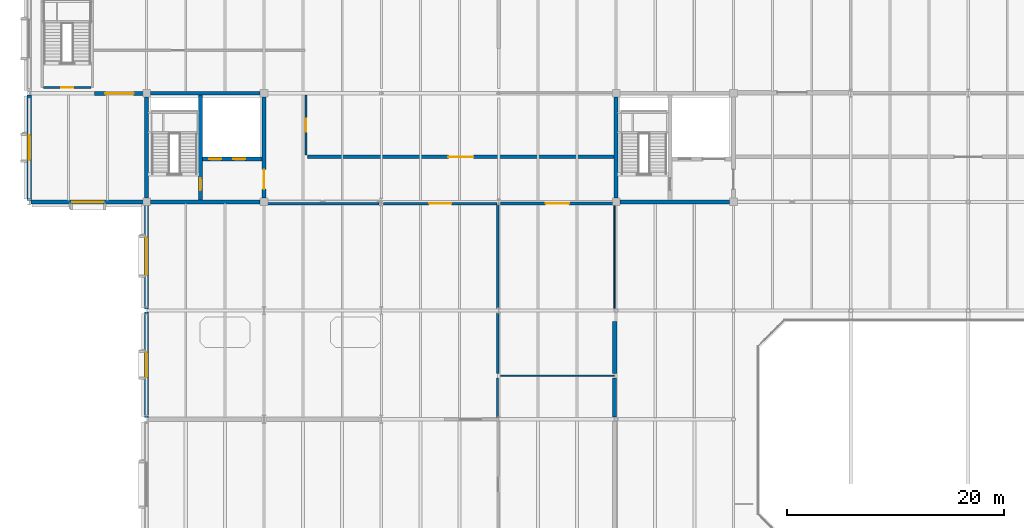
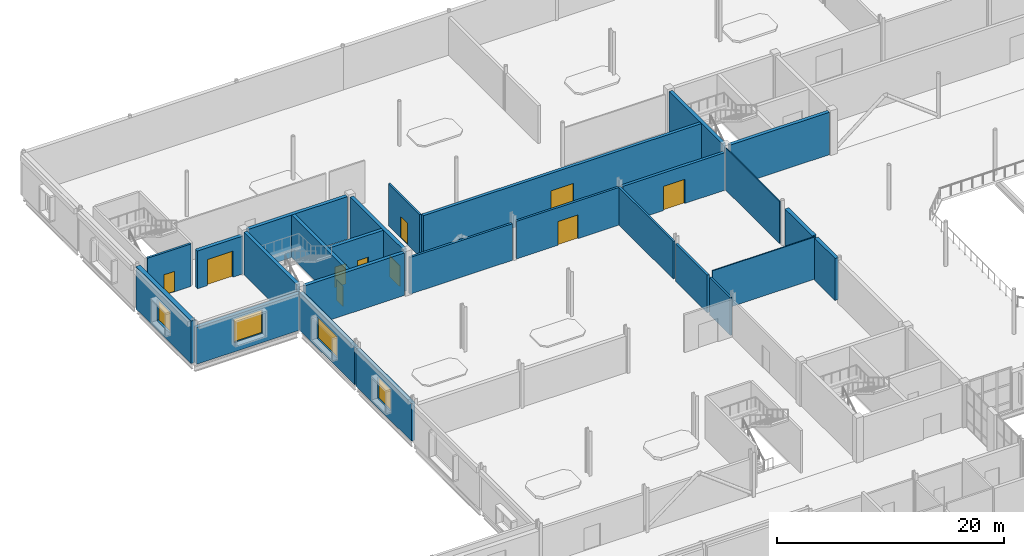
# One storey, part 77 of 92: 26 walls, 10 doors, 4 windows, 14 openings.
"""IFC4 building model written with IfcOpenShell, lengths in metres."""

from ifc_helpers import new_model, si_unit, direction, frame, frame_2d, origin, place, context, subcontext, project, spatial, rectangle, extrude, material, layer, layer_set, type_object, element, fill, save


model = new_model("IFC4")

# Units and contexts
model_context = context("Model", 3, precision=1e-05, world=origin(), true_north=direction((0.0, 1.0)))
body_context = subcontext(model_context, "Body", "Model", "MODEL_VIEW")
ifc_project = project(units=[si_unit("LENGTHUNIT", "METRE"), si_unit("AREAUNIT", "SQUARE_METRE"), si_unit("VOLUMEUNIT", "CUBIC_METRE"), si_unit("PLANEANGLEUNIT", "RADIAN"), si_unit("MASSUNIT", "GRAM", prefix="KILO")], contexts=[model_context])

# Site, building, storey
site_placement = place(None, origin())
site = spatial("IfcSite", under=ifc_project, at=site_placement, CompositionType="ELEMENT")
building_placement = place(site_placement, origin())
building = spatial("IfcBuilding", under=site, at=building_placement, Name="Tasgan Crest Museum", CompositionType="ELEMENT")
storey_placement = place(building_placement, frame((0.0, 0.0, 4.800048828125)))
storey = spatial("IfcBuildingStorey", under=building, at=storey_placement, Name="L01", CompositionType="ELEMENT", Elevation=4.800048828125)

# Walls
ifc_material_1 = material(Name="Concrete C40/50", Category="concrete")
ifc_layer_1 = layer(ifc_material_1, 0.35009765625, Name="WL-CORE-350")
ifc_layer_set_1 = layer_set([ifc_layer_1], Name="Concrete C40/50")
wall_type_1 = type_object("IfcWallType", Name="WL-CORE-350", PredefinedType="SHEAR", material=ifc_layer_set_1)
for number, where, z_axis, x_axis, name in (
    (1, (11.14990234375, 82.0, 0.0), (0.0, 0.0, 1.0), (1.0, 0.0, 0.0), "North-West Gallery Core south shear wall L01"),
    (2, (11.14990234375, 92.0, 0.0), (0.0, 0.0, 1.0), (1.0, 0.0, 0.0), "North-West Gallery Core north shear wall L01"),
):
    element("IfcWall", number, at=place(storey_placement, frame(where, z_axis=z_axis, x_axis=x_axis)), inside=storey, type_object=wall_type_1, Name=name, PredefinedType="SHEAR", context=body_context, shape_type="SweptSolid", body=[
        extrude(rectangle(XDim=10.10009765625, YDim=0.35009765625, at=frame_2d((5.050048828125, 0.0))), origin(), (0.0, 0.0, 1.0), 4.56005859375),
    ])
wall_1_placement = place(storey_placement, frame((10.800048828125, 82.35009765625, 0.0), z_axis=(0.0, 0.0, 1.0), x_axis=(0.0, 1.0, 0.0)))
element("IfcWall", 3, at=wall_1_placement, inside=storey, type_object=wall_type_1, Name="North-West Gallery Core west shear wall L01", PredefinedType="SHEAR", context=body_context, shape_type="SweptSolid", body=[
    extrude(rectangle(XDim=9.2998046875, YDim=0.35009765625, at=frame_2d((4.64990234375, 0.0))), origin(), (0.0, 0.0, 1.0), 4.56005859375),
])

# Wall, opening, door
wall_2_placement = place(storey_placement, frame((21.60009765625, 82.35009765625, 0.0), z_axis=(0.0, 0.0, 1.0), x_axis=(0.0, 1.0, 0.0)))
wall_2 = element("IfcWall", 4, at=wall_2_placement, inside=storey, type_object=wall_type_1, Name="North-West Gallery Core east shear wall L01", PredefinedType="SHEAR", context=body_context, shape_type="SweptSolid", body=[
    extrude(rectangle(XDim=9.2998046875, YDim=0.35009765625, at=frame_2d((4.64990234375, 0.0))), origin(), (0.0, 0.0, 1.0), 4.56005859375),
])
opening_1_placement = place(wall_2_placement, frame((0.830078125, 0.0, 0.0)))
opening_1 = element("IfcOpeningElement", 5, at=opening_1_placement, cuts=wall_2, Name="Opening LD-NW-L01", PredefinedType="OPENING", context=body_context, shape_type="SweptSolid", body=[
    extrude(rectangle(XDim=1.800048828125, YDim=2.25, at=frame_2d((0.89990234375, 1.125))), frame((0.0, 0.18505859375, 0.0), z_axis=(0.0, -1.0, 0.0), x_axis=(1.0, 0.0, 0.0)), (0.0, 0.0, 1.0), 0.3701171875),
])
ifc_material_2 = material(Name="Fire-Rated Double Lobby Door")
door_type_1 = type_object("IfcDoorType", Name="DR-FD2-1800", OperationType="NOTDEFINED", PredefinedType="DOOR", material=ifc_material_2)
door_1_placement = place(opening_1_placement, origin())
door_1 = element("IfcDoor", 6, at=door_1_placement, inside=storey, type_object=door_type_1, Name="North-West Gallery Core lobby door L01", OperationType="DOUBLE_DOOR_SINGLE_SWING", OverallHeight=2.25, OverallWidth=1.800048828125, PredefinedType="DOOR", context=body_context, shape_type="SweptSolid", body=[
    extrude(rectangle(XDim=1.800048828125, YDim=2.25, at=frame_2d((0.89990234375, 1.125))), frame((0.0, 0.02490234375, 0.0), z_axis=(0.0, -1.0, 0.0), x_axis=(1.0, 0.0, 0.0)), (0.0, 0.0, 1.0), 0.050048828125),
])
fill(opening_1, door_1)

wall_3_placement = place(storey_placement, frame((15.75, 82.175048828125, 0.0), z_axis=(0.0, 0.0, 1.0), x_axis=(0.0, 1.0, 0.0)))
wall_3 = element("IfcWall", 7, at=wall_3_placement, inside=storey, type_object=wall_type_1, Name="North-West Gallery Core stair-lobby shear wall L01", PredefinedType="SHEAR", context=body_context, shape_type="SweptSolid", body=[
    extrude(rectangle(XDim=9.64990234375, YDim=0.35009765625, at=frame_2d((4.824951171875, 0.0))), origin(), (0.0, 0.0, 1.0), 4.56005859375),
])
opening_2_placement = place(wall_3_placement, frame((0.89990234375, 0.0, 0.0)))
opening_2 = element("IfcOpeningElement", 8, at=opening_2_placement, cuts=wall_3, Name="Opening SD-NW-L01", PredefinedType="OPENING", context=body_context, shape_type="SweptSolid", body=[
    extrude(rectangle(XDim=1.10009765625, YDim=2.199951171875, at=frame_2d((0.550048828125, 1.10009765625))), frame((0.0, 0.18505859375, 0.0), z_axis=(0.0, -1.0, 0.0), x_axis=(1.0, 0.0, 0.0)), (0.0, 0.0, 1.0), 0.3701171875),
])
ifc_material_3 = material(Name="Fire-Rated Steel Door", Category="steel")
door_type_2 = type_object("IfcDoorType", Name="DR-FD1-1100", OperationType="NOTDEFINED", PredefinedType="DOOR", material=ifc_material_3)
door_2_placement = place(opening_2_placement, origin())
door_2 = element("IfcDoor", 9, at=door_2_placement, inside=storey, type_object=door_type_2, Name="North-West Gallery Core stair door L01", OperationType="SINGLE_SWING_RIGHT", OverallHeight=2.199951171875, OverallWidth=1.10009765625, PredefinedType="DOOR", context=body_context, shape_type="SweptSolid", body=[
    extrude(rectangle(XDim=1.10009765625, YDim=2.199951171875, at=frame_2d((0.550048828125, 1.10009765625))), frame((0.0, 0.02490234375, 0.0), z_axis=(0.0, -1.0, 0.0), x_axis=(1.0, 0.0, 0.0)), (0.0, 0.0, 1.0), 0.050048828125),
])
fill(opening_2, door_2)

# Wall, openings, doors
wall_4_placement = place(storey_placement, frame((15.929931640625, 85.949951171875, 0.0), z_axis=(0.0, 0.0, 1.0), x_axis=(1.0, 0.0, 0.0)))
wall_4 = element("IfcWall", 10, at=wall_4_placement, inside=storey, type_object=wall_type_1, Name="North-West Gallery Core lift-shaft wall L01", PredefinedType="SHEAR", context=body_context, shape_type="SweptSolid", body=[
    extrude(rectangle(XDim=5.489990234375, YDim=0.35009765625, at=frame_2d((2.7451171875, 0.0))), origin(), (0.0, 0.0, 1.0), 4.56005859375),
])
opening_3_placement = place(wall_4_placement, frame((0.64990234375, 0.0, 0.0)))
opening_3 = element("IfcOpeningElement", 11, at=opening_3_placement, cuts=wall_4, Name="Opening LD-FL1", PredefinedType="OPENING", context=body_context, shape_type="SweptSolid", body=[
    extrude(rectangle(XDim=1.10009765625, YDim=2.199951171875, at=frame_2d((0.550048828125, 1.10009765625))), frame((0.0, 0.18505859375, 0.0), z_axis=(0.0, -1.0, 0.0), x_axis=(1.0, 0.0, 0.0)), (0.0, 0.0, 1.0), 0.3701171875),
])
opening_4_placement = place(wall_4_placement, frame((2.85009765625, 0.0, 0.0)))
opening_4 = element("IfcOpeningElement", 12, at=opening_4_placement, cuts=wall_4, Name="Opening LD-PL1", PredefinedType="OPENING", context=body_context, shape_type="SweptSolid", body=[
    extrude(rectangle(XDim=1.10009765625, YDim=2.199951171875, at=frame_2d((0.550048828125, 1.10009765625))), frame((0.0, 0.18505859375, 0.0), z_axis=(0.0, -1.0, 0.0), x_axis=(1.0, 0.0, 0.0)), (0.0, 0.0, 1.0), 0.3701171875),
])
ifc_material_4 = material(Name="Stainless Steel Firefighting Lift Landing Door", Category="steel")
door_type_3 = type_object("IfcDoorType", Name="LD-FF-1100", OperationType="NOTDEFINED", PredefinedType="DOOR", material=ifc_material_4)
door_3_placement = place(opening_3_placement, origin())
door_3 = element("IfcDoor", 13, at=door_3_placement, inside=storey, type_object=door_type_3, Name="Firefighting lift landing door FL1 L01", OperationType="DOUBLE_DOOR_SLIDING", OverallHeight=2.199951171875, OverallWidth=1.10009765625, PredefinedType="DOOR", context=body_context, shape_type="SweptSolid", body=[
    extrude(rectangle(XDim=1.10009765625, YDim=2.199951171875, at=frame_2d((0.550048828125, 1.10009765625))), frame((0.0, 0.02490234375, 0.0), z_axis=(0.0, -1.0, 0.0), x_axis=(1.0, 0.0, 0.0)), (0.0, 0.0, 1.0), 0.050048828125),
])
fill(opening_3, door_3)
ifc_material_5 = material(Name="Brushed Bronze Passenger Lift Landing Door")
door_type_4 = type_object("IfcDoorType", Name="LD-PAX-1100", OperationType="NOTDEFINED", PredefinedType="DOOR", material=ifc_material_5)
door_4_placement = place(opening_4_placement, origin())
door_4 = element("IfcDoor", 14, at=door_4_placement, inside=storey, type_object=door_type_4, Name="Lift landing sliding door PL1 L01", OperationType="DOUBLE_DOOR_SLIDING", OverallHeight=2.199951171875, OverallWidth=1.10009765625, PredefinedType="DOOR", context=body_context, shape_type="SweptSolid", body=[
    extrude(rectangle(XDim=1.10009765625, YDim=2.199951171875, at=frame_2d((0.550048828125, 1.10009765625))), frame((0.0, 0.02490234375, 0.0), z_axis=(0.0, -1.0, 0.0), x_axis=(1.0, 0.0, 0.0)), (0.0, 0.0, 1.0), 0.050048828125),
])
fill(opening_4, door_4)

# Walls
wall_5_placement = place(storey_placement, frame((54.35009765625, 82.0, 0.0), z_axis=(0.0, 0.0, 1.0), x_axis=(1.0, 0.0, 0.0)))
element("IfcWall", 15, at=wall_5_placement, inside=storey, type_object=wall_type_1, Name="North-Central Sawtooth Core south shear wall L01", PredefinedType="SHEAR", context=body_context, shape_type="SweptSolid", body=[
    extrude(rectangle(XDim=10.099853515625, YDim=0.35009765625, at=frame_2d((5.0498046875, 0.0))), origin(), (0.0, 0.0, 1.0), 4.56005859375),
])
wall_6_placement = place(storey_placement, frame((54.0, 82.35009765625, 0.0), z_axis=(0.0, 0.0, 1.0), x_axis=(0.0, 1.0, 0.0)))
element("IfcWall", 16, at=wall_6_placement, inside=storey, type_object=wall_type_1, Name="North-Central Sawtooth Core west shear wall L01", PredefinedType="SHEAR", context=body_context, shape_type="SweptSolid", body=[
    extrude(rectangle(XDim=9.2998046875, YDim=0.35009765625, at=frame_2d((4.64990234375, 0.0))), origin(), (0.0, 0.0, 1.0), 4.56005859375),
])

# Wall, opening, window
ifc_material_6 = material(Name="Precast concrete C40/50", Category="concrete")
ifc_layer_2 = layer(ifc_material_6, 0.3798828125, Name="WL-EXT-CANT-380")
ifc_layer_set_2 = layer_set([ifc_layer_2], Name="Precast concrete C40/50")
wall_type_2 = type_object("IfcWallType", Name="WL-EXT-CANT-380", PredefinedType="STANDARD", material=ifc_layer_set_2)
wall_7_placement = place(storey_placement, frame((0.14501953125, 82.0, 0.0), z_axis=(0.0, 0.0, 1.0), x_axis=(1.0, 0.0, 0.0)))
wall_7 = element("IfcWall", 17, at=wall_7_placement, inside=storey, type_object=wall_type_2, Name="Exterior wall L01 (5.4,82.0)", PredefinedType="STANDARD", context=body_context, shape_type="SweptSolid", body=[
    extrude(rectangle(XDim=10.510009765625, YDim=0.3798828125, at=frame_2d((5.2548828125, 0.0))), origin(), (0.0, 0.0, 1.0), 3.93896484375),
])
opening_5_placement = place(wall_7_placement, frame((3.804931640625, 0.0, 1.0)))
opening_5 = element("IfcOpeningElement", 18, at=opening_5_placement, cuts=wall_7, Name="Opening W31", PredefinedType="OPENING", context=body_context, shape_type="SweptSolid", body=[
    extrude(rectangle(XDim=2.89990234375, YDim=2.5, at=frame_2d((1.449951171875, 1.25))), frame((0.0, 0.199951171875, 0.0), z_axis=(0.0, -1.0, 0.0), x_axis=(1.0, 0.0, 0.0)), (0.0, 0.0, 1.0), 0.39990234375),
])
ifc_material_7 = material(Name="Thermally Broken Triple-Glazed Aluminium", Category="aluminium")
window_type_1 = type_object("IfcWindowType", Name="WN-GAL-2900X2500", PartitioningType="SINGLE_PANEL", PredefinedType="WINDOW", material=ifc_material_7)
window_1_placement = place(opening_5_placement, origin())
window_1 = element("IfcWindow", 19, at=window_1_placement, inside=storey, type_object=window_type_1, Name="Window W31 L01-031", OverallHeight=2.5, OverallWidth=2.89990234375, PartitioningType="SINGLE_PANEL", PredefinedType="WINDOW", context=body_context, shape_type="SweptSolid", body=[
    extrude(rectangle(XDim=2.89990234375, YDim=2.5, at=frame_2d((1.449951171875, 1.25))), frame((0.0, 0.030029296875, 0.0), z_axis=(0.0, -1.0, 0.0), x_axis=(1.0, 0.0, 0.0)), (0.0, 0.0, 1.0), 0.06005859375),
])
fill(opening_5, window_1)

wall_8_placement = place(storey_placement, frame((10.800048828125, 81.85498046875, 0.0), z_axis=(0.0, 0.0, 1.0), x_axis=(0.0, -1.0, 0.0)))
wall_8 = element("IfcWall", 20, at=wall_8_placement, inside=storey, type_object=wall_type_2, Name="Exterior wall L01 (10.8,77.0)", PredefinedType="STANDARD", context=body_context, shape_type="SweptSolid", body=[
    extrude(rectangle(XDim=9.7099609375, YDim=0.3798828125, at=frame_2d((4.85498046875, 0.0))), origin(), (0.0, 0.0, 1.0), 4.0400390625),
])
opening_6_placement = place(wall_8_placement, frame((3.10498046875, 0.0, 1.0)))
opening_6 = element("IfcOpeningElement", 21, at=opening_6_placement, cuts=wall_8, Name="Opening W32", PredefinedType="OPENING", context=body_context, shape_type="SweptSolid", body=[
    extrude(rectangle(XDim=3.5, YDim=2.300048828125, at=frame_2d((1.75, 1.14990234375))), frame((0.0, 0.199951171875, 0.0), z_axis=(0.0, -1.0, 0.0), x_axis=(1.0, 0.0, 0.0)), (0.0, 0.0, 1.0), 0.39990234375),
])
ifc_material_8 = material(Name="Thermally Broken Triple-Glazed Aluminium", Category="aluminium")
window_type_2 = type_object("IfcWindowType", Name="WN-GAL-3500X2300", PartitioningType="SINGLE_PANEL", PredefinedType="WINDOW", material=ifc_material_8)
window_2_placement = place(opening_6_placement, origin())
window_2 = element("IfcWindow", 22, at=window_2_placement, inside=storey, type_object=window_type_2, Name="Window W32 L01-032", OverallHeight=2.300048828125, OverallWidth=3.5, PartitioningType="SINGLE_PANEL", PredefinedType="WINDOW", context=body_context, shape_type="SweptSolid", body=[
    extrude(rectangle(XDim=3.5, YDim=2.300048828125, at=frame_2d((1.75, 1.14990234375))), frame((0.0, 0.030029296875, 0.0), z_axis=(0.0, -1.0, 0.0), x_axis=(1.0, 0.0, 0.0)), (0.0, 0.0, 1.0), 0.06005859375),
])
fill(opening_6, window_2)

wall_9_placement = place(storey_placement, frame((10.800048828125, 71.85498046875, 0.0), z_axis=(0.0, 0.0, 1.0), x_axis=(0.0, -1.0, 0.0)))
wall_9 = element("IfcWall", 23, at=wall_9_placement, inside=storey, type_object=wall_type_2, Name="Exterior wall L01 (10.8,67.0)", PredefinedType="STANDARD", context=body_context, shape_type="SweptSolid", body=[
    extrude(rectangle(XDim=9.7099609375, YDim=0.3798828125, at=frame_2d((4.85498046875, 0.0))), origin(), (0.0, 0.0, 1.0), 4.0400390625),
])
opening_7_placement = place(wall_9_placement, frame((3.705078125, 0.0, 1.0)))
opening_7 = element("IfcOpeningElement", 24, at=opening_7_placement, cuts=wall_9, Name="Opening W30", PredefinedType="OPENING", context=body_context, shape_type="SweptSolid", body=[
    extrude(rectangle(XDim=2.300048828125, YDim=2.300048828125, at=frame_2d((1.14990234375, 1.14990234375))), frame((0.0, 0.199951171875, 0.0), z_axis=(0.0, -1.0, 0.0), x_axis=(1.0, 0.0, 0.0)), (0.0, 0.0, 1.0), 0.39990234375),
])
ifc_material_9 = material(Name="Thermally Broken Triple-Glazed Aluminium", Category="aluminium")
window_type_3 = type_object("IfcWindowType", Name="WN-GAL-2300X2300", PartitioningType="SINGLE_PANEL", PredefinedType="WINDOW", material=ifc_material_9)
window_3_placement = place(opening_7_placement, origin())
window_3 = element("IfcWindow", 25, at=window_3_placement, inside=storey, type_object=window_type_3, Name="Window W30 L01-033", OverallHeight=2.300048828125, OverallWidth=2.300048828125, PartitioningType="SINGLE_PANEL", PredefinedType="WINDOW", context=body_context, shape_type="SweptSolid", body=[
    extrude(rectangle(XDim=2.300048828125, YDim=2.300048828125, at=frame_2d((1.14990234375, 1.14990234375))), frame((0.0, 0.030029296875, 0.0), z_axis=(0.0, -1.0, 0.0), x_axis=(1.0, 0.0, 0.0)), (0.0, 0.0, 1.0), 0.06005859375),
])
fill(opening_7, window_3)

ifc_material_10 = material(Name="Precast concrete C40/50", Category="concrete")
ifc_layer_3 = layer(ifc_material_10, 0.449951171875, Name="WL-EXT-LIME-450")
ifc_layer_set_3 = layer_set([ifc_layer_3], Name="Precast concrete C40/50")
wall_type_3 = type_object("IfcWallType", Name="WL-EXT-LIME-450", PredefinedType="STANDARD", material=ifc_layer_set_3)
wall_10_placement = place(storey_placement, frame((0.0, 91.85498046875, 0.0), z_axis=(0.0, 0.0, 1.0), x_axis=(0.0, -1.0, 0.0)))
wall_10 = element("IfcWall", 26, at=wall_10_placement, inside=storey, type_object=wall_type_3, Name="Exterior wall L01 (0.0,87.0)", PredefinedType="STANDARD", context=body_context, shape_type="SweptSolid", body=[
    extrude(rectangle(XDim=9.7099609375, YDim=0.449951171875, at=frame_2d((4.85498046875, 0.0))), origin(), (0.0, 0.0, 1.0), 4.56005859375),
])
opening_8_placement = place(wall_10_placement, frame((3.705078125, 0.0, 1.0)))
opening_8 = element("IfcOpeningElement", 27, at=opening_8_placement, cuts=wall_10, Name="Opening W30", PredefinedType="OPENING", context=body_context, shape_type="SweptSolid", body=[
    extrude(rectangle(XDim=2.300048828125, YDim=2.300048828125, at=frame_2d((1.14990234375, 1.14990234375))), frame((0.0, 0.23486328125, 0.0), z_axis=(0.0, -1.0, 0.0), x_axis=(1.0, 0.0, 0.0)), (0.0, 0.0, 1.0), 0.469970703125),
])
window_4_placement = place(opening_8_placement, origin())
window_4 = element("IfcWindow", 28, at=window_4_placement, inside=storey, type_object=window_type_3, Name="Window W30 L01-030", OverallHeight=2.300048828125, OverallWidth=2.300048828125, PartitioningType="SINGLE_PANEL", PredefinedType="WINDOW", context=body_context, shape_type="SweptSolid", body=[
    extrude(rectangle(XDim=2.300048828125, YDim=2.300048828125, at=frame_2d((1.14990234375, 1.14990234375))), frame((0.0, 0.030029296875, 0.0), z_axis=(0.0, -1.0, 0.0), x_axis=(1.0, 0.0, 0.0)), (0.0, 0.0, 1.0), 0.06005859375),
])
fill(opening_8, window_4)

# Walls
ifc_material_11 = material(Name="Gypsum Acoustic Museum Partition")
ifc_layer_4 = layer(ifc_material_11, 0.110107421875, Name="WL-SCH-01")
ifc_layer_set_4 = layer_set([ifc_layer_4], Name="Gypsum Acoustic Museum Partition")
wall_type_4 = type_object("IfcWallType", Name="WL-SCH-01", PredefinedType="PARTITIONING", material=ifc_layer_set_4)
wall_11_placement = place(storey_placement, frame((43.3798828125, 66.0, 0.0), z_axis=(0.0, 0.0, 1.0), x_axis=(1.0, 0.0, 0.0)))
element("IfcWall", 29, at=wall_11_placement, inside=storey, type_object=wall_type_4, Name="Partition Botany Curatorial Study / Zoology Specimen Preparation Studio L01", PredefinedType="PARTITIONING", context=body_context, shape_type="SweptSolid", body=[
    extrude(rectangle(XDim=10.440185546875, YDim=0.110107421875, at=frame_2d((5.22021484375, 0.0))), origin(), (0.0, 0.0, 1.0), 4.52001953125),
])
wall_12_placement = place(storey_placement, frame((53.860107421875, 72.199951171875, 0.0), z_axis=(0.0, 0.0, 1.0), x_axis=(0.0, 1.0, 0.0)))
element("IfcWall", 30, at=wall_12_placement, inside=storey, type_object=wall_type_4, Name="Partition Zoology Specimen Preparation Studio / Winter-Garden North Concourse L01", PredefinedType="PARTITIONING", context=body_context, shape_type="SweptSolid", body=[
    extrude(rectangle(XDim=9.6201171875, YDim=0.110107421875, at=frame_2d((4.81005859375, 0.0))), origin(), (0.0, 0.0, 1.0), 4.52001953125),
])

# Wall, opening, door
ifc_material_12 = material(Name="Gypsum Acoustic Museum Partition")
ifc_layer_5 = layer(ifc_material_12, 0.169921875, Name="WL-SCH-04")
ifc_layer_set_5 = layer_set([ifc_layer_5], Name="Gypsum Acoustic Museum Partition")
wall_type_5 = type_object("IfcWallType", Name="WL-SCH-04", PredefinedType="PARTITIONING", material=ifc_layer_set_5)
wall_13_placement = place(storey_placement, frame((25.47509765625, 86.300048828125, 0.0), z_axis=(0.0, 0.0, 1.0), x_axis=(0.0, 1.0, 0.0)))
wall_13 = element("IfcWall", 31, at=wall_13_placement, inside=storey, type_object=wall_type_5, Name="Partition Subarctic Conifer Display Gallery / L01 West Core Link Corridor L01", PredefinedType="PARTITIONING", context=body_context, shape_type="SweptSolid", body=[
    extrude(rectangle(XDim=5.52001953125, YDim=0.169921875, at=frame_2d((2.760009765625, 0.0))), origin(), (0.0, 0.0, 1.0), 4.52001953125),
])
opening_9_placement = place(wall_13_placement, frame((2.169921875, 0.0, 0.0)))
opening_9 = element("IfcOpeningElement", 32, at=opening_9_placement, cuts=wall_13, Name="Opening D051", PredefinedType="OPENING", context=body_context, shape_type="SweptSolid", body=[
    extrude(rectangle(XDim=1.179931640625, YDim=2.280029296875, at=frame_2d((0.58984375, 1.14013671875))), frame((0.0, 0.094970703125, 0.0), z_axis=(0.0, -1.0, 0.0), x_axis=(1.0, 0.0, 0.0)), (0.0, 0.0, 1.0), 0.18994140625),
])
ifc_material_13 = material(Name="Oak and Brushed Bronze Acoustic Door")
door_type_5 = type_object("IfcDoorType", Name="DR-SCH-23", OperationType="NOTDEFINED", PredefinedType="DOOR", material=ifc_material_13)
door_5_placement = place(opening_9_placement, origin())
door_5 = element("IfcDoor", 33, at=door_5_placement, inside=storey, type_object=door_type_5, Name="Subarctic Conifer Display Gallery door D051", OperationType="SINGLE_SWING_RIGHT", OverallHeight=2.280029296875, OverallWidth=1.179931640625, PredefinedType="DOOR", context=body_context, shape_type="SweptSolid", body=[
    extrude(rectangle(XDim=1.179931640625, YDim=2.280029296875, at=frame_2d((0.58984375, 1.14013671875))), frame((0.0, 0.02490234375, 0.0), z_axis=(0.0, -1.0, 0.0), x_axis=(1.0, 0.0, 0.0)), (0.0, 0.0, 1.0), 0.050048828125),
])
fill(opening_9, door_5)

# Walls
ifc_material_14 = material(Name="Gypsum Acoustic Museum Partition")
ifc_layer_6 = layer(ifc_material_14, 0.18994140625, Name="WL-SCH-05")
ifc_layer_set_6 = layer_set([ifc_layer_6], Name="Gypsum Acoustic Museum Partition")
wall_type_6 = type_object("IfcWallType", Name="WL-SCH-05", PredefinedType="PARTITIONING", material=ifc_layer_set_6)
wall_14_placement = place(storey_placement, frame((43.10009765625, 62.179931640625, 0.0), z_axis=(0.0, 0.0, 1.0), x_axis=(0.0, 1.0, 0.0)))
element("IfcWall", 34, at=wall_14_placement, inside=storey, type_object=wall_type_6, Name="Partition Altai Fauna Diorama Gallery / Botany Curatorial Study L01", PredefinedType="PARTITIONING", context=body_context, shape_type="SweptSolid", body=[
    extrude(rectangle(XDim=3.6201171875, YDim=0.18994140625, at=frame_2d((1.81005859375, 0.0))), origin(), (0.0, 0.0, 1.0), 4.0400390625),
])
ifc_material_15 = material(Name="Gypsum Acoustic Museum Partition")
ifc_layer_7 = layer(ifc_material_15, 0.2099609375, Name="WL-SCH-06")
ifc_layer_set_7 = layer_set([ifc_layer_7], Name="Gypsum Acoustic Museum Partition")
wall_type_7 = type_object("IfcWallType", Name="WL-SCH-06", PredefinedType="PARTITIONING", material=ifc_layer_set_7)
wall_15_placement = place(storey_placement, frame((43.10009765625, 66.199951171875, 0.0), z_axis=(0.0, 0.0, 1.0), x_axis=(0.0, 1.0, 0.0)))
element("IfcWall", 35, at=wall_15_placement, inside=storey, type_object=wall_type_7, Name="Partition Altai Fauna Diorama Gallery / Zoology Specimen Preparation Studio L01", PredefinedType="PARTITIONING", context=body_context, shape_type="SweptSolid", body=[
    extrude(rectangle(XDim=5.60009765625, YDim=0.2099609375, at=frame_2d((2.800048828125, 0.0))), origin(), (0.0, 0.0, 1.0), 4.0400390625),
])
wall_16_placement = place(storey_placement, frame((43.10009765625, 72.199951171875, 0.0), z_axis=(0.0, 0.0, 1.0), x_axis=(0.0, 1.0, 0.0)))
element("IfcWall", 36, at=wall_16_placement, inside=storey, type_object=wall_type_7, Name="Partition Altai Fauna Diorama Gallery / Zoology Specimen Preparation Studio L01", PredefinedType="PARTITIONING", context=body_context, shape_type="SweptSolid", body=[
    extrude(rectangle(XDim=9.6201171875, YDim=0.2099609375, at=frame_2d((4.81005859375, 0.0))), origin(), (0.0, 0.0, 1.0), 4.0400390625),
])
ifc_material_16 = material(Name="Gypsum Acoustic Museum Partition")
ifc_layer_8 = layer(ifc_material_16, 0.22998046875, Name="WL-SCH-07")
ifc_layer_set_8 = layer_set([ifc_layer_8], Name="Gypsum Acoustic Museum Partition")
wall_type_8 = type_object("IfcWallType", Name="WL-SCH-07", PredefinedType="PARTITIONING", material=ifc_layer_set_8)
wall_17_placement = place(storey_placement, frame((21.780029296875, 81.85009765625, 0.0), z_axis=(0.0, 0.0, 1.0), x_axis=(1.0, 0.0, 0.0)))
element("IfcWall", 37, at=wall_17_placement, inside=storey, type_object=wall_type_8, Name="Partition Altai Fauna Diorama Gallery / First Floor North Gallery Corridor L01", PredefinedType="PARTITIONING", context=body_context, shape_type="SweptSolid", body=[
    extrude(rectangle(XDim=10.419921875, YDim=0.22998046875, at=frame_2d((5.2099609375, 0.0))), origin(), (0.0, 0.0, 1.0), 3.93896484375),
])

# Wall, opening, door
wall_18_placement = place(storey_placement, frame((32.60009765625, 81.85009765625, 0.0), z_axis=(0.0, 0.0, 1.0), x_axis=(1.0, 0.0, 0.0)))
wall_18 = element("IfcWall", 38, at=wall_18_placement, inside=storey, type_object=wall_type_8, Name="Partition Altai Fauna Diorama Gallery / First Floor North Gallery Corridor L01", PredefinedType="PARTITIONING", context=body_context, shape_type="SweptSolid", body=[
    extrude(rectangle(XDim=10.419921875, YDim=0.22998046875, at=frame_2d((5.2099609375, 0.0))), origin(), (0.0, 0.0, 1.0), 4.0400390625),
])
opening_10_placement = place(wall_18_placement, frame((4.18505859375, 0.0, 0.0)))
opening_10 = element("IfcOpeningElement", 39, at=opening_10_placement, cuts=wall_18, Name="Opening D043", PredefinedType="OPENING", context=body_context, shape_type="SweptSolid", body=[
    extrude(rectangle(XDim=2.050048828125, YDim=2.550048828125, at=frame_2d((1.02490234375, 1.27490234375))), frame((0.0, 0.125, 0.0), z_axis=(0.0, -1.0, 0.0), x_axis=(1.0, 0.0, 0.0)), (0.0, 0.0, 1.0), 0.25),
])
ifc_material_17 = material(Name="Oak and Brushed Bronze Acoustic Door")
door_type_6 = type_object("IfcDoorType", Name="DR-SCH-15", OperationType="NOTDEFINED", PredefinedType="DOOR", material=ifc_material_17)
door_6_placement = place(opening_10_placement, origin())
door_6 = element("IfcDoor", 40, at=door_6_placement, inside=storey, type_object=door_type_6, Name="Altai Fauna Diorama Gallery door D043", OperationType="DOUBLE_DOOR_SINGLE_SWING", OverallHeight=2.550048828125, OverallWidth=2.050048828125, PredefinedType="DOOR", context=body_context, shape_type="SweptSolid", body=[
    extrude(rectangle(XDim=2.050048828125, YDim=2.550048828125, at=frame_2d((1.02490234375, 1.27490234375))), frame((0.0, 0.02490234375, 0.0), z_axis=(0.0, -1.0, 0.0), x_axis=(1.0, 0.0, 0.0)), (0.0, 0.0, 1.0), 0.050048828125),
])
fill(opening_10, door_6)

ifc_material_18 = material(Name="Gypsum Acoustic Museum Partition")
ifc_layer_9 = layer(ifc_material_18, 0.2900390625, Name="WL-SCH-09")
ifc_layer_set_9 = layer_set([ifc_layer_9], Name="Gypsum Acoustic Museum Partition")
wall_type_9 = type_object("IfcWallType", Name="WL-SCH-09", PredefinedType="PARTITIONING", material=ifc_layer_set_9)
wall_19_placement = place(storey_placement, frame((43.3798828125, 81.85009765625, 0.0), z_axis=(0.0, 0.0, 1.0), x_axis=(1.0, 0.0, 0.0)))
wall_19 = element("IfcWall", 41, at=wall_19_placement, inside=storey, type_object=wall_type_9, Name="Partition Zoology Specimen Preparation Studio / First Floor North Gallery Corridor L01", PredefinedType="PARTITIONING", context=body_context, shape_type="SweptSolid", body=[
    extrude(rectangle(XDim=10.440185546875, YDim=0.2900390625, at=frame_2d((5.22021484375, 0.0))), origin(), (0.0, 0.0, 1.0), 4.0400390625),
])
opening_11_placement = place(wall_19_placement, frame((4.14501953125, 0.0, 0.0)))
opening_11 = element("IfcOpeningElement", 42, at=opening_11_placement, cuts=wall_19, Name="Opening D044", PredefinedType="OPENING", context=body_context, shape_type="SweptSolid", body=[
    extrude(rectangle(XDim=2.14990234375, YDim=2.60009765625, at=frame_2d((1.074951171875, 1.300048828125))), frame((0.0, 0.155029296875, 0.0), z_axis=(0.0, -1.0, 0.0), x_axis=(1.0, 0.0, 0.0)), (0.0, 0.0, 1.0), 0.31005859375),
])
ifc_material_19 = material(Name="Oak and Brushed Bronze Acoustic Door")
door_type_7 = type_object("IfcDoorType", Name="DR-SCH-16", OperationType="NOTDEFINED", PredefinedType="DOOR", material=ifc_material_19)
door_7_placement = place(opening_11_placement, origin())
door_7 = element("IfcDoor", 43, at=door_7_placement, inside=storey, type_object=door_type_7, Name="Zoology Specimen Preparation Studio door D044", OperationType="DOUBLE_DOOR_SINGLE_SWING", OverallHeight=2.60009765625, OverallWidth=2.14990234375, PredefinedType="DOOR", context=body_context, shape_type="SweptSolid", body=[
    extrude(rectangle(XDim=2.14990234375, YDim=2.60009765625, at=frame_2d((1.074951171875, 1.300048828125))), frame((0.0, 0.02490234375, 0.0), z_axis=(0.0, -1.0, 0.0), x_axis=(1.0, 0.0, 0.0)), (0.0, 0.0, 1.0), 0.050048828125),
])
fill(opening_11, door_7)

ifc_material_20 = material(Name="Gypsum Acoustic Museum Partition")
ifc_layer_10 = layer(ifc_material_20, 0.31005859375, Name="WL-SCH-10")
ifc_layer_set_10 = layer_set([ifc_layer_10], Name="Gypsum Acoustic Museum Partition")
wall_type_10 = type_object("IfcWallType", Name="WL-SCH-10", PredefinedType="PARTITIONING", material=ifc_layer_set_10)
wall_20_placement = place(storey_placement, frame((25.60009765625, 86.14990234375, 0.0), z_axis=(0.0, 0.0, 1.0), x_axis=(1.0, 0.0, 0.0)))
wall_20 = element("IfcWall", 44, at=wall_20_placement, inside=storey, type_object=wall_type_10, Name="Partition First Floor North Gallery Corridor / Subarctic Conifer Display Gallery L01", PredefinedType="PARTITIONING", context=body_context, shape_type="SweptSolid", body=[
    extrude(rectangle(XDim=28.219970703125, YDim=0.31005859375, at=frame_2d((14.10986328125, 0.0))), origin(), (0.0, 0.0, 1.0), 4.52001953125),
])
opening_12_placement = place(wall_20_placement, frame((12.9599609375, 0.0, 0.0)))
opening_12 = element("IfcOpeningElement", 45, at=opening_12_placement, cuts=wall_20, Name="Opening D045", PredefinedType="OPENING", context=body_context, shape_type="SweptSolid", body=[
    extrude(rectangle(XDim=2.300048828125, YDim=2.64990234375, at=frame_2d((1.14990234375, 1.324951171875))), frame((0.0, 0.1650390625, 0.0), z_axis=(0.0, -1.0, 0.0), x_axis=(1.0, 0.0, 0.0)), (0.0, 0.0, 1.0), 0.330078125),
])
ifc_material_21 = material(Name="Oak and Brushed Bronze Acoustic Door")
door_type_8 = type_object("IfcDoorType", Name="DR-SCH-17", OperationType="NOTDEFINED", PredefinedType="DOOR", material=ifc_material_21)
door_8_placement = place(opening_12_placement, origin())
door_8 = element("IfcDoor", 46, at=door_8_placement, inside=storey, type_object=door_type_8, Name="Subarctic Conifer Display Gallery door D045", OperationType="DOUBLE_DOOR_SINGLE_SWING", OverallHeight=2.64990234375, OverallWidth=2.300048828125, PredefinedType="DOOR", context=body_context, shape_type="SweptSolid", body=[
    extrude(rectangle(XDim=2.300048828125, YDim=2.64990234375, at=frame_2d((1.14990234375, 1.324951171875))), frame((0.0, 0.02490234375, 0.0), z_axis=(0.0, -1.0, 0.0), x_axis=(1.0, 0.0, 0.0)), (0.0, 0.0, 1.0), 0.050048828125),
])
fill(opening_12, door_8)

ifc_material_22 = material(Name="Gypsum Acoustic Museum Partition")
ifc_layer_11 = layer(ifc_material_22, 0.3701171875, Name="WL-SCH-12")
ifc_layer_set_11 = layer_set([ifc_layer_11], Name="Gypsum Acoustic Museum Partition")
wall_type_11 = type_object("IfcWallType", Name="WL-SCH-12", PredefinedType="PARTITIONING", material=ifc_layer_set_11)
wall_21_placement = place(storey_placement, frame((6.0, 91.97509765625, 0.0), z_axis=(0.0, 0.0, 1.0), x_axis=(1.0, 0.0, 0.0)))
wall_21 = element("IfcWall", 47, at=wall_21_placement, inside=storey, type_object=wall_type_11, Name="Partition Pleistocene Ice Age Gallery / L01 North-West Stair Link Corridor L01", PredefinedType="PARTITIONING", context=body_context, shape_type="SweptSolid", body=[
    extrude(rectangle(XDim=4.6201171875, YDim=0.3701171875, at=frame_2d((2.31005859375, 0.0))), origin(), (0.0, 0.0, 1.0), 4.06884765625),
])
opening_13_placement = place(wall_21_placement, frame((1.010009765625, 0.0, 0.0)))
opening_13 = element("IfcOpeningElement", 48, at=opening_13_placement, cuts=wall_21, Name="Opening D047", PredefinedType="OPENING", context=body_context, shape_type="SweptSolid", body=[
    extrude(rectangle(XDim=2.60009765625, YDim=2.800048828125, at=frame_2d((1.300048828125, 1.39990234375))), frame((0.0, 0.195068359375, 0.0), z_axis=(0.0, -1.0, 0.0), x_axis=(1.0, 0.0, 0.0)), (0.0, 0.0, 1.0), 0.39013671875),
])
ifc_material_23 = material(Name="Oak and Brushed Bronze Acoustic Door")
door_type_9 = type_object("IfcDoorType", Name="DR-SCH-19", OperationType="NOTDEFINED", PredefinedType="DOOR", material=ifc_material_23)
door_9_placement = place(opening_13_placement, origin())
door_9 = element("IfcDoor", 49, at=door_9_placement, inside=storey, type_object=door_type_9, Name="Pleistocene Ice Age Gallery door D047", OperationType="DOUBLE_DOOR_SINGLE_SWING", OverallHeight=2.800048828125, OverallWidth=2.60009765625, PredefinedType="DOOR", context=body_context, shape_type="SweptSolid", body=[
    extrude(rectangle(XDim=2.60009765625, YDim=2.800048828125, at=frame_2d((1.300048828125, 1.39990234375))), frame((0.0, 0.02490234375, 0.0), z_axis=(0.0, -1.0, 0.0), x_axis=(1.0, 0.0, 0.0)), (0.0, 0.0, 1.0), 0.050048828125),
])
fill(opening_13, door_9)

# Walls
wall_22_placement = place(storey_placement, frame((53.860107421875, 62.199951171875, 0.0), z_axis=(0.0, 0.0, 1.0), x_axis=(0.0, 1.0, 0.0)))
element("IfcWall", 50, at=wall_22_placement, inside=storey, type_object=wall_type_11, Name="Partition Botany Curatorial Study / Winter-Garden West Ramp Promenade L01", PredefinedType="PARTITIONING", context=body_context, shape_type="SweptSolid", body=[
    extrude(rectangle(XDim=3.60009765625, YDim=0.3701171875, at=frame_2d((1.800048828125, 0.0))), origin(), (0.0, 0.0, 1.0), 4.52001953125),
])
ifc_material_24 = material(Name="Gypsum Acoustic Museum Partition")
ifc_layer_12 = layer(ifc_material_24, 0.409912109375, Name="WL-SCH-14")
ifc_layer_set_12 = layer_set([ifc_layer_12], Name="Gypsum Acoustic Museum Partition")
wall_type_12 = type_object("IfcWallType", Name="WL-SCH-14", PredefinedType="PARTITIONING", material=ifc_layer_set_12)
wall_23_placement = place(storey_placement, frame((53.860107421875, 66.199951171875, 0.0), z_axis=(0.0, 0.0, 1.0), x_axis=(0.0, 1.0, 0.0)))
element("IfcWall", 51, at=wall_23_placement, inside=storey, type_object=wall_type_12, Name="Partition Zoology Specimen Preparation Studio / Winter-Garden West Ramp Promenade L01", PredefinedType="PARTITIONING", context=body_context, shape_type="SweptSolid", body=[
    extrude(rectangle(XDim=4.800048828125, YDim=0.409912109375, at=frame_2d((2.39990234375, 0.0))), origin(), (0.0, 0.0, 1.0), 4.52001953125),
])

# Wall, opening, door
ifc_material_25 = material(Name="Concrete C40/50", Category="concrete")
ifc_layer_13 = layer(ifc_material_25, 0.219970703125, Name="WL-SHAFT-220")
ifc_layer_set_13 = layer_set([ifc_layer_13], Name="Concrete C40/50")
wall_type_13 = type_object("IfcWallType", Name="WL-SHAFT-220", PredefinedType="SHEAR", material=ifc_layer_set_13)
wall_24_placement = place(storey_placement, frame((1.300048828125, 92.530029296875, 0.0), z_axis=(0.0, 0.0, 1.0), x_axis=(1.0, 0.0, 0.0)))
wall_24 = element("IfcWall", 52, at=wall_24_placement, inside=storey, type_object=wall_type_13, Name="GALW stairwell wall L01 S", PredefinedType="SHEAR", context=body_context, shape_type="SweptSolid", body=[
    extrude(rectangle(XDim=4.39990234375, YDim=0.219970703125, at=frame_2d((2.199951171875, 0.0))), origin(), (0.0, 0.0, 1.0), 4.56005859375),
])
opening_14_placement = place(wall_24_placement, frame((1.64990234375, 0.0, 0.0)))
opening_14 = element("IfcOpeningElement", 53, at=opening_14_placement, cuts=wall_24, Name="Opening SD-GA-L01", PredefinedType="OPENING", context=body_context, shape_type="SweptSolid", body=[
    extrude(rectangle(XDim=1.10009765625, YDim=2.199951171875, at=frame_2d((0.550048828125, 1.10009765625))), frame((0.0, 0.119873046875, 0.0), z_axis=(0.0, -1.0, 0.0), x_axis=(1.0, 0.0, 0.0)), (0.0, 0.0, 1.0), 0.239990234375),
])
door_10_placement = place(opening_14_placement, origin())
door_10 = element("IfcDoor", 54, at=door_10_placement, inside=storey, type_object=door_type_2, Name="GALW protected stair door L01", OperationType="SINGLE_SWING_LEFT", OverallHeight=2.199951171875, OverallWidth=1.10009765625, PredefinedType="DOOR", context=body_context, shape_type="SweptSolid", body=[
    extrude(rectangle(XDim=1.10009765625, YDim=2.199951171875, at=frame_2d((0.550048828125, 1.10009765625))), frame((0.0, 0.02490234375, 0.0), z_axis=(0.0, -1.0, 0.0), x_axis=(1.0, 0.0, 0.0)), (0.0, 0.0, 1.0), 0.050048828125),
])
fill(opening_14, door_10)

save(model, "model.ifc")
